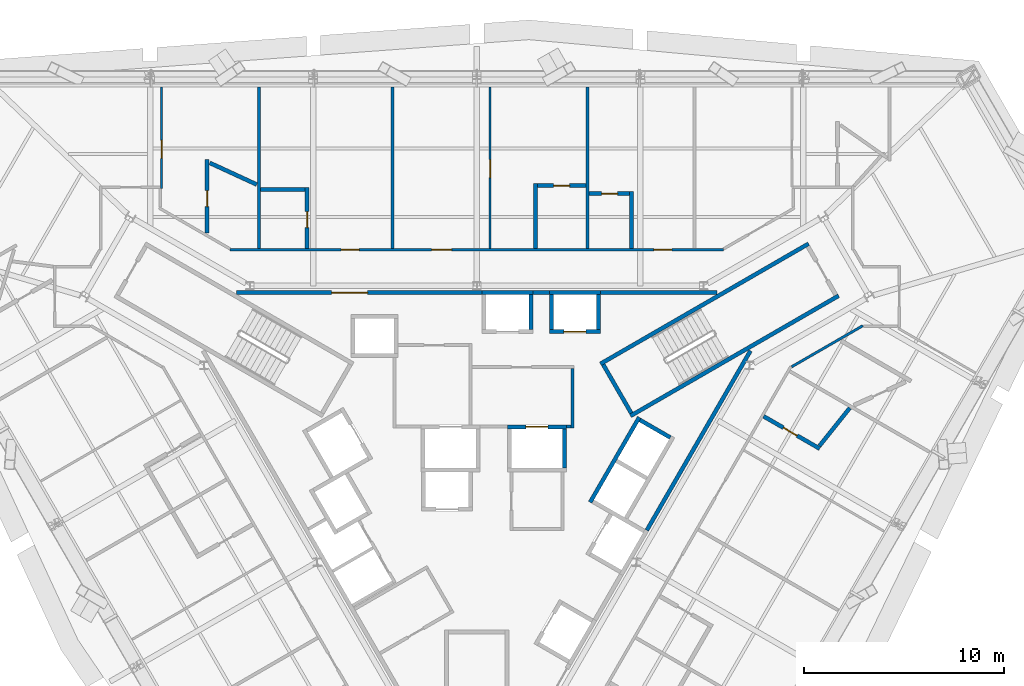
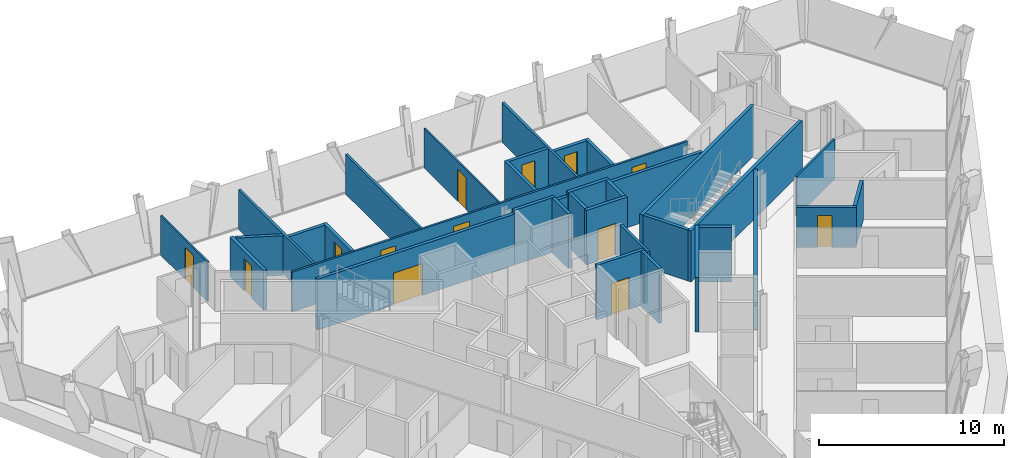
# One storey, part 11 of 14: 36 walls, 13 doors, 13 openings.
"""IFC4 building model written with IfcOpenShell, lengths in metres."""

from ifc_helpers import new_model, si_unit, direction, frame, frame_2d, origin, place, context, subcontext, project, spatial, rectangle, extrude, material, layer, layer_set, type_object, element, fill, save


model = new_model("IFC4")

# Units and contexts
model_context = context("Model", 3, precision=1e-05, world=origin(), true_north=direction((0.0, 1.0)))
body_context = subcontext(model_context, "Body", "Model", "MODEL_VIEW")
ifc_project = project(units=[si_unit("LENGTHUNIT", "METRE"), si_unit("AREAUNIT", "SQUARE_METRE"), si_unit("VOLUMEUNIT", "CUBIC_METRE"), si_unit("PLANEANGLEUNIT", "RADIAN"), si_unit("MASSUNIT", "GRAM", prefix="KILO")], contexts=[model_context])

# Site, building, storey
site_placement = place(None, origin())
site = spatial("IfcSite", under=ifc_project, at=site_placement, CompositionType="ELEMENT")
building_placement = place(site_placement, origin())
building = spatial("IfcBuilding", under=site, at=building_placement, Name="Verrane Prism Tower", CompositionType="ELEMENT")
storey_placement = place(building_placement, frame((0.0, 0.0, 128.800048828125)))
storey = spatial("IfcBuildingStorey", under=building, at=storey_placement, Name="L31", CompositionType="ELEMENT", Elevation=128.800048828125)

# Wall, opening, door
ifc_material_1 = material(Name="Gypsum board partition", Category="other")
ifc_layer_1 = layer(ifc_material_1, 0.199951171875)
ifc_layer_set_1 = layer_set([ifc_layer_1], Name="CW-200 core boundary wall 2 h")
wall_type_1 = type_object("IfcWallType", Name="CW-200 core boundary wall 2 h", PredefinedType="PARTITIONING", material=ifc_layer_set_1)
wall_1_placement = place(storey_placement, frame((0.262939453125, 8.860107421875, 0.0), z_axis=(0.0, 0.0, 1.0), x_axis=(-1.0, 0.0, 0.0)))
wall_1 = element("IfcWall", 1, at=wall_1_placement, inside=storey, type_object=wall_type_1, Name="Core boundary wall CW3-002", PredefinedType="PARTITIONING", context=body_context, shape_type="SweptSolid", body=[
    extrude(rectangle(XDim=12.25390625, YDim=0.199951171875, at=frame_2d((6.126953125, 0.0))), origin(), (0.0, 0.0, 1.0), 3.349853515625),
])
opening_1_placement = place(wall_1_placement, frame((5.708984375, 0.0, 0.0)))
opening_1 = element("IfcOpeningElement", 2, at=opening_1_placement, cuts=wall_1, Name="Opening D29511", PredefinedType="OPENING", context=body_context, shape_type="SweptSolid", body=[
    extrude(rectangle(XDim=1.800048828125, YDim=2.10009765625, at=frame_2d((0.89990234375, 1.050048828125))), frame((0.0, 0.10986328125, 0.0), z_axis=(0.0, -1.0, 0.0), x_axis=(1.0, 0.0, 0.0)), (0.0, 0.0, 1.0), 0.219970703125),
])
ifc_material_2 = material(Name="Timber veneered door leaf", Category="wood")
door_type_1 = type_object("IfcDoorType", Name="DR-1800x2100 FD60 double leaf lift lobby", OperationType="NOTDEFINED", PredefinedType="DOOR", material=ifc_material_2)
door_1_placement = place(opening_1_placement, origin())
door_1 = element("IfcDoor", 3, at=door_1_placement, inside=storey, type_object=door_type_1, Name="Lift lobby door D29511", OperationType="DOUBLE_DOOR_SINGLE_SWING", OverallHeight=2.10009765625, OverallWidth=1.800048828125, PredefinedType="DOOR", context=body_context, shape_type="SweptSolid", body=[
    extrude(rectangle(XDim=1.800048828125, YDim=2.10009765625, at=frame_2d((0.89990234375, 1.050048828125))), frame((0.0, 0.02490234375, 0.0), z_axis=(0.0, -1.0, 0.0), x_axis=(1.0, 0.0, 0.0)), (0.0, 0.0, 1.0), 0.050048828125),
])
fill(opening_1, door_1)

# Walls
wall_2_placement = place(storey_placement, frame((2.81689453125, 8.860107421875, 0.0), z_axis=(0.0, 0.0, 1.0), x_axis=(1.0, 0.0, 0.0)))
element("IfcWall", 4, at=wall_2_placement, inside=storey, type_object=wall_type_1, Name="Core boundary wall CW3-004", PredefinedType="PARTITIONING", context=body_context, shape_type="SweptSolid", body=[
    extrude(rectangle(XDim=0.80615234375, YDim=0.199951171875, at=frame_2d((0.403076171875, 0.0))), origin(), (0.0, 0.0, 1.0), 3.349853515625),
])
wall_3_placement = place(storey_placement, frame((6.177001953125, 8.860107421875, 0.0), z_axis=(0.0, 0.0, 1.0), x_axis=(1.0, 0.0, 0.0)))
element("IfcWall", 5, at=wall_3_placement, inside=storey, type_object=wall_type_1, Name="Core boundary wall CW3-006", PredefinedType="PARTITIONING", context=body_context, shape_type="SweptSolid", body=[
    extrude(rectangle(XDim=5.81396484375, YDim=0.199951171875, at=frame_2d((2.906982421875, 0.0))), origin(), (0.0, 0.0, 1.0), 3.349853515625),
])
wall_4_placement = place(storey_placement, frame((8.491943359375, -3.011962890625, 0.0), z_axis=(0.0, 0.0, 1.0), x_axis=(0.499972957231, 0.866041016371, 0.0)))
element("IfcWall", 6, at=wall_4_placement, inside=storey, type_object=wall_type_1, Name="Core boundary wall CW3-007", PredefinedType="PARTITIONING", context=body_context, shape_type="SweptSolid", body=[
    extrude(rectangle(XDim=10.3486328125, YDim=0.199951171875, at=frame_2d((5.17431640625, 0.0))), origin(), (0.0, 0.0, 1.0), 3.349853515625),
])
ifc_material_3 = material(Name="Concrete C40/50", Category="concrete")
ifc_layer_2 = layer(ifc_material_3, 0.199951171875)
ifc_layer_set_2 = layer_set([ifc_layer_2], Name="CW-200 stair core wall concrete C40/50 3 h")
wall_type_2 = type_object("IfcWallType", Name="CW-200 stair core wall concrete C40/50 3 h", PredefinedType="PARTITIONING", material=ifc_layer_set_2)
for number, where, z_axis, x_axis, name in (
    (7, (6.17822265625, 5.299072265625, 0.0), (0.0, 0.0, 1.0), (0.866026010844, 0.49999894854, 0.0), "Stair 1 enclosure wall"),
    (8, (7.67822265625, 2.700927734375, 0.0), (0.0, 0.0, 1.0), (0.866026010844, 0.49999894854, 0.0), "Stair 1 enclosure wall"),
):
    element("IfcWall", number, at=place(storey_placement, frame(where, z_axis=z_axis, x_axis=x_axis)), inside=storey, type_object=wall_type_2, Name=name, PredefinedType="PARTITIONING", context=body_context, shape_type="SweptSolid", body=[
        extrude(rectangle(XDim=12.0, YDim=0.199951171875, at=frame_2d((6.0, 0.0))), origin(), (0.0, 0.0, 1.0), 3.349853515625),
    ])
wall_5_placement = place(storey_placement, frame((7.71484375, 2.837646484375, 0.0), z_axis=(0.0, 0.0, 1.0), x_axis=(-0.500049511043, 0.865996816683, 0.0)))
element("IfcWall", 9, at=wall_5_placement, inside=storey, type_object=wall_type_2, Name="Stair 1 enclosure wall", PredefinedType="PARTITIONING", context=body_context, shape_type="SweptSolid", body=[
    extrude(rectangle(XDim=2.800048828125, YDim=0.199951171875, at=frame_2d((1.39990234375, 0.0))), origin(), (0.0, 0.0, 1.0), 3.349853515625),
])

# Wall, opening, door
ifc_material_4 = material(Name="Gypsum board shaft wall assembly", Category="other")
ifc_layer_3 = layer(ifc_material_4, 0.199951171875)
ifc_layer_set_3 = layer_set([ifc_layer_3], Name="HW-200 lift shaft wall 2 h")
wall_type_3 = type_object("IfcWallType", Name="HW-200 lift shaft wall 2 h", PredefinedType="PARTITIONING", material=ifc_layer_set_3)
wall_6_placement = place(storey_placement, frame((1.52490234375, 2.14990234375, 0.0), z_axis=(0.0, 0.0, 1.0), x_axis=(1.0, 0.0, 0.0)))
wall_6 = element("IfcWall", 10, at=wall_6_placement, inside=storey, type_object=wall_type_3, Name="Lift shaft wall", PredefinedType="PARTITIONING", context=body_context, shape_type="SweptSolid", body=[
    extrude(rectangle(XDim=2.9501953125, YDim=0.199951171875, at=frame_2d((1.47509765625, 0.0))), origin(), (0.0, 0.0, 1.0), 3.599853515625),
])
opening_2_placement = place(wall_6_placement, frame((0.925048828125, 0.0, 0.0)))
opening_2 = element("IfcOpeningElement", 11, at=opening_2_placement, cuts=wall_6, Name="Opening D29509", PredefinedType="OPENING", context=body_context, shape_type="SweptSolid", body=[
    extrude(rectangle(XDim=1.10009765625, YDim=2.10009765625, at=frame_2d((0.550048828125, 1.050048828125))), frame((0.0, 0.10986328125, 0.0), z_axis=(0.0, -1.0, 0.0), x_axis=(1.0, 0.0, 0.0)), (0.0, 0.0, 1.0), 0.219970703125),
])
ifc_material_5 = material(Name="Stainless steel sliding landing door", Category="steel")
door_type_2 = type_object("IfcDoorType", Name="LD-1100x2100 lift landing door FD90 sliding", OperationType="NOTDEFINED", PredefinedType="DOOR", material=ifc_material_5)
door_2_placement = place(opening_2_placement, origin())
door_2 = element("IfcDoor", 12, at=door_2_placement, inside=storey, type_object=door_type_2, Name="Fire service lift 2 landing door", OperationType="SLIDING_TO_RIGHT", OverallHeight=2.10009765625, OverallWidth=1.10009765625, PredefinedType="DOOR", context=body_context, shape_type="SweptSolid", body=[
    extrude(rectangle(XDim=1.10009765625, YDim=2.10009765625, at=frame_2d((0.550048828125, 1.050048828125))), frame((0.0, 0.02490234375, 0.0), z_axis=(0.0, -1.0, 0.0), x_axis=(1.0, 0.0, 0.0)), (0.0, 0.0, 1.0), 0.050048828125),
])
fill(opening_2, door_2)

wall_7_placement = place(storey_placement, frame((3.625, 6.909912109375, 0.0), z_axis=(0.0, 0.0, 1.0), x_axis=(1.0, 0.0, 0.0)))
wall_7 = element("IfcWall", 13, at=wall_7_placement, inside=storey, type_object=wall_type_3, Name="Lift shaft wall", PredefinedType="PARTITIONING", context=body_context, shape_type="SweptSolid", body=[
    extrude(rectangle(XDim=2.550048828125, YDim=0.199951171875, at=frame_2d((1.27490234375, 0.0))), origin(), (0.0, 0.0, 1.0), 3.599853515625),
])
opening_3_placement = place(wall_7_placement, frame((0.72509765625, 0.0, 0.0)))
opening_3 = element("IfcOpeningElement", 14, at=opening_3_placement, cuts=wall_7, Name="Opening D29505", PredefinedType="OPENING", context=body_context, shape_type="SweptSolid", body=[
    extrude(rectangle(XDim=1.10009765625, YDim=2.10009765625, at=frame_2d((0.550048828125, 1.050048828125))), frame((0.0, 0.10986328125, 0.0), z_axis=(0.0, -1.0, 0.0), x_axis=(1.0, 0.0, 0.0)), (0.0, 0.0, 1.0), 0.219970703125),
])
door_3_placement = place(opening_3_placement, origin())
door_3 = element("IfcDoor", 15, at=door_3_placement, inside=storey, type_object=door_type_2, Name="Bank A lift 3 landing door", OperationType="SLIDING_TO_LEFT", OverallHeight=2.10009765625, OverallWidth=1.10009765625, PredefinedType="DOOR", context=body_context, shape_type="SweptSolid", body=[
    extrude(rectangle(XDim=1.10009765625, YDim=2.10009765625, at=frame_2d((0.550048828125, 1.050048828125))), frame((0.0, 0.02490234375, 0.0), z_axis=(0.0, -1.0, 0.0), x_axis=(1.0, 0.0, 0.0)), (0.0, 0.0, 1.0), 0.050048828125),
])
fill(opening_3, door_3)

# Walls
for number, where, z_axis, x_axis, name in (
    (16, (0.264892578125, 8.860107421875, 0.0), (0.0, 0.0, 1.0), (1.0, 0.0, 0.0), "Lift shaft wall"),
    (17, (3.625, 8.860107421875, 0.0), (0.0, 0.0, 1.0), (1.0, 0.0, 0.0), "Lift shaft wall"),
):
    element("IfcWall", number, at=place(storey_placement, frame(where, z_axis=z_axis, x_axis=x_axis)), inside=storey, type_object=wall_type_3, Name=name, PredefinedType="PARTITIONING", context=body_context, shape_type="SweptSolid", body=[
        extrude(rectangle(XDim=2.550048828125, YDim=0.199951171875, at=frame_2d((1.27490234375, 0.0))), origin(), (0.0, 0.0, 1.0), 3.599853515625),
    ])
wall_8_placement = place(storey_placement, frame((5.66259765625, -1.6123046875, 0.0), z_axis=(0.0, 0.0, 1.0), x_axis=(0.49998122708, 0.866036242063, 0.0)))
element("IfcWall", 18, at=wall_8_placement, inside=storey, type_object=wall_type_3, Name="Lift shaft wall", PredefinedType="PARTITIONING", context=body_context, shape_type="SweptSolid", body=[
    extrude(rectangle(XDim=4.900146484375, YDim=0.199951171875, at=frame_2d((2.4501953125, 0.0))), origin(), (0.0, 0.0, 1.0), 3.599853515625),
])
wall_9_placement = place(storey_placement, frame((6.074951171875, 7.010009765625, 0.0), z_axis=(0.0, 0.0, 1.0), x_axis=(0.0, 1.0, 0.0)))
element("IfcWall", 19, at=wall_9_placement, inside=storey, type_object=wall_type_3, Name="Lift shaft wall", PredefinedType="PARTITIONING", context=body_context, shape_type="SweptSolid", body=[
    extrude(rectangle(XDim=1.75, YDim=0.199951171875, at=frame_2d((0.875, 0.0))), origin(), (0.0, 0.0, 1.0), 3.599853515625),
])
wall_10_placement = place(storey_placement, frame((4.375, 0.10009765625, 0.0), z_axis=(0.0, 0.0, 1.0), x_axis=(0.0, 1.0, 0.0)))
element("IfcWall", 20, at=wall_10_placement, inside=storey, type_object=wall_type_3, Name="Lift shaft wall", PredefinedType="PARTITIONING", context=body_context, shape_type="SweptSolid", body=[
    extrude(rectangle(XDim=1.949951171875, YDim=0.199951171875, at=frame_2d((0.97509765625, 0.0))), origin(), (0.0, 0.0, 1.0), 3.599853515625),
])
for number, where, z_axis, x_axis, name in (
    (21, (3.72509765625, 7.010009765625, 0.0), (0.0, 0.0, 1.0), (0.0, 1.0, 0.0), "Lift shaft wall"),
    (22, (2.715087890625, 7.010009765625, 0.0), (0.0, 0.0, 1.0), (0.0, 1.0, 0.0), "Lift shaft wall"),
):
    element("IfcWall", number, at=place(storey_placement, frame(where, z_axis=z_axis, x_axis=x_axis)), inside=storey, type_object=wall_type_3, Name=name, PredefinedType="PARTITIONING", context=body_context, shape_type="SweptSolid", body=[
        extrude(rectangle(XDim=1.75, YDim=0.199951171875, at=frame_2d((0.875, 0.0))), origin(), (0.0, 0.0, 1.0), 3.599853515625),
    ])
wall_11_placement = place(storey_placement, frame((9.66455078125, 1.61962890625, 0.0), z_axis=(0.0, 0.0, 1.0), x_axis=(-0.866002029911, 0.500040482552, 0.0)))
element("IfcWall", 23, at=wall_11_placement, inside=storey, type_object=wall_type_3, Name="Lift shaft wall", PredefinedType="PARTITIONING", context=body_context, shape_type="SweptSolid", body=[
    extrude(rectangle(XDim=1.749755859375, YDim=0.199951171875, at=frame_2d((0.875, 0.0))), origin(), (0.0, 0.0, 1.0), 3.599853515625),
])
ifc_material_6 = material(Name="Gypsum board partition", Category="other")
ifc_layer_4 = layer(ifc_material_6, 0.14990234375)
ifc_layer_set_4 = layer_set([ifc_layer_4], Name="LF-150 firefighting lobby wall 1 h")
wall_type_4 = type_object("IfcWallType", Name="LF-150 firefighting lobby wall 1 h", PredefinedType="PARTITIONING", material=ifc_layer_set_4)
wall_12_placement = place(storey_placement, frame((4.47705078125, 2.159912109375, 0.0), z_axis=(0.0, 0.0, 1.0), x_axis=(1.0, 0.0, 0.0)))
element("IfcWall", 24, at=wall_12_placement, inside=storey, type_object=wall_type_4, Name="Firefighting lobby wall LF1-007", PredefinedType="PARTITIONING", context=body_context, shape_type="SweptSolid", body=[
    extrude(rectangle(XDim=0.238037109375, YDim=0.14990234375, at=frame_2d((0.119140625, 0.0))), origin(), (0.0, 0.0, 1.0), 3.349853515625),
])
wall_13_placement = place(storey_placement, frame((4.7900390625, 2.0849609375, 0.0), z_axis=(0.0, 0.0, 1.0), x_axis=(0.0, 1.0, 0.0)))
element("IfcWall", 25, at=wall_13_placement, inside=storey, type_object=wall_type_4, Name="Firefighting lobby wall LF1-008", PredefinedType="PARTITIONING", context=body_context, shape_type="SweptSolid", body=[
    extrude(rectangle(XDim=2.97998046875, YDim=0.14990234375, at=frame_2d((1.489990234375, 0.0))), origin(), (0.0, 0.0, 1.0), 3.349853515625),
])

# Wall, opening, door
ifc_material_7 = material(Name="Gypsum board partition", Category="other")
ifc_layer_5 = layer(ifc_material_7, 0.10009765625)
ifc_layer_set_5 = layer_set([ifc_layer_5], Name="PW-100 room partition")
wall_type_5 = type_object("IfcWallType", Name="PW-100 room partition", PredefinedType="PARTITIONING", material=ifc_layer_set_5)
wall_14_placement = place(storey_placement, frame((-15.740966796875, 19.114990234375, 0.0), z_axis=(0.0, 0.0, 1.0), x_axis=(0.0, -1.0, 0.0)))
wall_14 = element("IfcWall", 26, at=wall_14_placement, inside=storey, type_object=wall_type_5, Name="Room partition 020", PredefinedType="PARTITIONING", context=body_context, shape_type="SweptSolid", body=[
    extrude(rectangle(XDim=5.050048828125, YDim=0.10009765625, at=frame_2d((2.52490234375, 0.0))), origin(), (0.0, 0.0, 1.0), 2.613037109375),
])
opening_4_placement = place(wall_14_placement, frame((2.65087890625, 0.0, 0.0)))
opening_4 = element("IfcOpeningElement", 27, at=opening_4_placement, cuts=wall_14, Name="Opening D29012", PredefinedType="OPENING", context=body_context, shape_type="SweptSolid", body=[
    extrude(rectangle(XDim=0.89990234375, YDim=2.10009765625, at=frame_2d((0.449951171875, 1.050048828125))), frame((0.0, 0.06005859375, 0.0), z_axis=(0.0, -1.0, 0.0), x_axis=(1.0, 0.0, 0.0)), (0.0, 0.0, 1.0), 0.1201171875),
])
ifc_material_8 = material(Name="Timber veneered door leaf", Category="wood")
door_type_3 = type_object("IfcDoorType", Name="DR-900x2100 single leaf inner", OperationType="NOTDEFINED", PredefinedType="DOOR", material=ifc_material_8)
door_4_placement = place(opening_4_placement, origin())
door_4 = element("IfcDoor", 28, at=door_4_placement, inside=storey, type_object=door_type_3, Name="Suite Living Room door", OperationType="SINGLE_SWING_LEFT", OverallHeight=2.10009765625, OverallWidth=0.89990234375, PredefinedType="DOOR", context=body_context, shape_type="SweptSolid", body=[
    extrude(rectangle(XDim=0.89990234375, YDim=2.10009765625, at=frame_2d((0.449951171875, 1.050048828125))), frame((0.0, 0.02490234375, 0.0), z_axis=(0.0, -1.0, 0.0), x_axis=(1.0, 0.0, 0.0)), (0.0, 0.0, 1.0), 0.050048828125),
])
fill(opening_4, door_4)

wall_15_placement = place(storey_placement, frame((0.6669921875, 19.114990234375, 0.0), z_axis=(0.0, 0.0, 1.0), x_axis=(0.0, -1.0, 0.0)))
wall_15 = element("IfcWall", 29, at=wall_15_placement, inside=storey, type_object=wall_type_5, Name="Room partition 041", PredefinedType="PARTITIONING", context=body_context, shape_type="SweptSolid", body=[
    extrude(rectangle(XDim=8.052490234375, YDim=0.10009765625, at=frame_2d((4.0263671875, 0.0))), origin(), (0.0, 0.0, 1.0), 2.613037109375),
])
opening_5_placement = place(wall_15_placement, frame((3.614990234375, 0.0, 0.0)))
opening_5 = element("IfcOpeningElement", 30, at=opening_5_placement, cuts=wall_15, Name="Opening D29007", PredefinedType="OPENING", context=body_context, shape_type="SweptSolid", body=[
    extrude(rectangle(XDim=0.89990234375, YDim=2.10009765625, at=frame_2d((0.449951171875, 1.050048828125))), frame((0.0, 0.06005859375, 0.0), z_axis=(0.0, -1.0, 0.0), x_axis=(1.0, 0.0, 0.0)), (0.0, 0.0, 1.0), 0.1201171875),
])
door_5_placement = place(opening_5_placement, origin())
door_5 = element("IfcDoor", 31, at=door_5_placement, inside=storey, type_object=door_type_3, Name="Suite Living Room door", OperationType="SINGLE_SWING_RIGHT", OverallHeight=2.10009765625, OverallWidth=0.89990234375, PredefinedType="DOOR", context=body_context, shape_type="SweptSolid", body=[
    extrude(rectangle(XDim=0.89990234375, YDim=2.10009765625, at=frame_2d((0.449951171875, 1.050048828125))), frame((0.0, 0.02490234375, 0.0), z_axis=(0.0, -1.0, 0.0), x_axis=(1.0, 0.0, 0.0)), (0.0, 0.0, 1.0), 0.050048828125),
])
fill(opening_5, door_5)

# Wall, openings, doors
ifc_material_9 = material(Name="Gypsum board partition", Category="other")
ifc_layer_6 = layer(ifc_material_9, 0.125)
ifc_layer_set_6 = layer_set([ifc_layer_6], Name="PW-125 corridor wall 1 h")
wall_type_6 = type_object("IfcWallType", Name="PW-125 corridor wall 1 h", PredefinedType="PARTITIONING", material=ifc_layer_set_6)
wall_16_placement = place(storey_placement, frame((-12.3154296875, 11.0, 0.0), z_axis=(0.0, 0.0, 1.0), x_axis=(1.0, 0.0, 0.0)))
wall_16 = element("IfcWall", 32, at=wall_16_placement, inside=storey, type_object=wall_type_6, Name="Corridor wall 028", PredefinedType="PARTITIONING", context=body_context, shape_type="SweptSolid", body=[
    extrude(rectangle(XDim=24.630859375, YDim=0.125, at=frame_2d((12.3154296875, 0.0))), origin(), (0.0, 0.0, 1.0), 2.613037109375),
])
opening_6_placement = place(wall_16_placement, frame((21.153564453125, 0.0, 0.0)))
opening_6 = element("IfcOpeningElement", 33, at=opening_6_placement, cuts=wall_16, Name="Opening D29004", PredefinedType="OPENING", context=body_context, shape_type="SweptSolid", body=[
    extrude(rectangle(XDim=0.89990234375, YDim=2.10009765625, at=frame_2d((0.449951171875, 1.050048828125))), frame((0.0, 0.072509765625, 0.0), z_axis=(0.0, -1.0, 0.0), x_axis=(1.0, 0.0, 0.0)), (0.0, 0.0, 1.0), 0.14501953125),
])
opening_7_placement = place(wall_16_placement, frame((10.0615234375, 0.0, 0.0)))
opening_7 = element("IfcOpeningElement", 34, at=opening_7_placement, cuts=wall_16, Name="Opening D29006", PredefinedType="OPENING", context=body_context, shape_type="SweptSolid", body=[
    extrude(rectangle(XDim=1.0, YDim=2.10009765625, at=frame_2d((0.5, 1.050048828125))), frame((0.0, 0.072509765625, 0.0), z_axis=(0.0, -1.0, 0.0), x_axis=(1.0, 0.0, 0.0)), (0.0, 0.0, 1.0), 0.14501953125),
])
opening_8_placement = place(wall_16_placement, frame((5.54541015625, 0.0, 0.0)))
opening_8 = element("IfcOpeningElement", 35, at=opening_8_placement, cuts=wall_16, Name="Opening D29009", PredefinedType="OPENING", context=body_context, shape_type="SweptSolid", body=[
    extrude(rectangle(XDim=0.89990234375, YDim=2.10009765625, at=frame_2d((0.449951171875, 1.050048828125))), frame((0.0, 0.072509765625, 0.0), z_axis=(0.0, -1.0, 0.0), x_axis=(1.0, 0.0, 0.0)), (0.0, 0.0, 1.0), 0.14501953125),
])
ifc_material_10 = material(Name="Timber veneered door leaf", Category="wood")
door_type_4 = type_object("IfcDoorType", Name="DR-1000x2100 FD20 single leaf unit", OperationType="NOTDEFINED", PredefinedType="DOOR", material=ifc_material_10)
door_6_placement = place(opening_7_placement, origin())
door_6 = element("IfcDoor", 36, at=door_6_placement, inside=storey, type_object=door_type_4, Name="Suite Living Room door", OperationType="SINGLE_SWING_RIGHT", OverallHeight=2.10009765625, OverallWidth=1.0, PredefinedType="DOOR", context=body_context, shape_type="SweptSolid", body=[
    extrude(rectangle(XDim=1.0, YDim=2.10009765625, at=frame_2d((0.5, 1.050048828125))), frame((0.0, 0.02490234375, 0.0), z_axis=(0.0, -1.0, 0.0), x_axis=(1.0, 0.0, 0.0)), (0.0, 0.0, 1.0), 0.050048828125),
])
fill(opening_7, door_6)
ifc_material_11 = material(Name="Timber veneered door leaf", Category="wood")
door_type_5 = type_object("IfcDoorType", Name="DR-900x2100 FD20 single leaf unit", OperationType="NOTDEFINED", PredefinedType="DOOR", material=ifc_material_11)
door_7_placement = place(opening_6_placement, origin())
door_7 = element("IfcDoor", 37, at=door_7_placement, inside=storey, type_object=door_type_5, Name="Guest Room door", OperationType="SINGLE_SWING_RIGHT", OverallHeight=2.10009765625, OverallWidth=0.89990234375, PredefinedType="DOOR", context=body_context, shape_type="SweptSolid", body=[
    extrude(rectangle(XDim=0.89990234375, YDim=2.10009765625, at=frame_2d((0.449951171875, 1.050048828125))), frame((0.0, 0.02490234375, 0.0), z_axis=(0.0, -1.0, 0.0), x_axis=(1.0, 0.0, 0.0)), (0.0, 0.0, 1.0), 0.050048828125),
])
fill(opening_6, door_7)
door_8_placement = place(opening_8_placement, origin())
door_8 = element("IfcDoor", 38, at=door_8_placement, inside=storey, type_object=door_type_5, Name="Junior Suite door", OperationType="SINGLE_SWING_LEFT", OverallHeight=2.10009765625, OverallWidth=0.89990234375, PredefinedType="DOOR", context=body_context, shape_type="SweptSolid", body=[
    extrude(rectangle(XDim=0.89990234375, YDim=2.10009765625, at=frame_2d((0.449951171875, 1.050048828125))), frame((0.0, 0.02490234375, 0.0), z_axis=(0.0, -1.0, 0.0), x_axis=(1.0, 0.0, 0.0)), (0.0, 0.0, 1.0), 0.050048828125),
])
fill(opening_8, door_8)

# Walls
wall_17_placement = place(storey_placement, frame((15.7265625, 5.153564453125, 0.0), z_axis=(0.0, 0.0, 1.0), x_axis=(0.865992261418, 0.50005739987, 0.0)))
element("IfcWall", 39, at=wall_17_placement, inside=storey, type_object=wall_type_6, Name="Corridor wall 065", PredefinedType="PARTITIONING", context=body_context, shape_type="SweptSolid", body=[
    extrude(rectangle(XDim=4.10107421875, YDim=0.125, at=frame_2d((2.050537109375, 0.0))), origin(), (0.0, 0.0, 1.0), 2.613037109375),
])
ifc_material_12 = material(Name="Gypsum board partition", Category="other")
ifc_layer_7 = layer(ifc_material_12, 0.14990234375)
ifc_layer_set_7 = layer_set([ifc_layer_7], Name="PW-150 demising wall 1 h")
wall_type_7 = type_object("IfcWallType", Name="PW-150 demising wall 1 h", PredefinedType="PARTITIONING", material=ifc_layer_set_7)
for number, where, z_axis, x_axis, name in (
    (40, (-10.8701171875, 11.0625, 0.0), (0.0, 0.0, 1.0), (0.0, 1.0, 0.0), "Demising wall 029"),
    (41, (-4.2041015625, 11.0625, 0.0), (0.0, 0.0, 1.0), (0.0, 1.0, 0.0), "Demising wall 038"),
    (42, (5.5380859375, 11.0625, 0.0), (0.0, 0.0, 1.0), (0.0, 1.0, 0.0), "Demising wall 049"),
):
    element("IfcWall", number, at=place(storey_placement, frame(where, z_axis=z_axis, x_axis=x_axis)), inside=storey, type_object=wall_type_7, Name=name, PredefinedType="PARTITIONING", context=body_context, shape_type="SweptSolid", body=[
        extrude(rectangle(XDim=8.052490234375, YDim=0.14990234375, at=frame_2d((4.0263671875, 0.0))), origin(), (0.0, 0.0, 1.0), 2.613037109375),
    ])

# Wall, opening, door
ifc_material_13 = material(Name="Gypsum board partition", Category="other")
ifc_layer_8 = layer(ifc_material_13, 0.199951171875)
ifc_layer_set_8 = layer_set([ifc_layer_8], Name="PW-200 plumbing wall")
wall_type_8 = type_object("IfcWallType", Name="PW-200 plumbing wall", PredefinedType="PARTITIONING", material=ifc_layer_set_8)
wall_18_placement = place(storey_placement, frame((-13.469970703125, 15.498046875, 0.0), z_axis=(0.0, 0.0, 1.0), x_axis=(0.0, -1.0, 0.0)))
wall_18 = element("IfcWall", 43, at=wall_18_placement, inside=storey, type_object=wall_type_8, Name="Plumbing wall 025", PredefinedType="PARTITIONING", context=body_context, shape_type="SweptSolid", body=[
    extrude(rectangle(XDim=3.6650390625, YDim=0.199951171875, at=frame_2d((1.83251953125, 0.0))), origin(), (0.0, 0.0, 1.0), 2.613037109375),
])
opening_9_placement = place(wall_18_placement, frame((1.544921875, 0.0, 0.0)))
opening_9 = element("IfcOpeningElement", 44, at=opening_9_placement, cuts=wall_18, Name="Opening D29013", PredefinedType="OPENING", context=body_context, shape_type="SweptSolid", body=[
    extrude(rectangle(XDim=0.800048828125, YDim=2.10009765625, at=frame_2d((0.39990234375, 1.050048828125))), frame((0.0, 0.10986328125, 0.0), z_axis=(0.0, -1.0, 0.0), x_axis=(1.0, 0.0, 0.0)), (0.0, 0.0, 1.0), 0.219970703125),
])
ifc_material_14 = material(Name="Timber veneered door leaf", Category="wood")
door_type_6 = type_object("IfcDoorType", Name="DR-800x2100 single leaf bath", OperationType="NOTDEFINED", PredefinedType="DOOR", material=ifc_material_14)
door_9_placement = place(opening_9_placement, origin())
door_9 = element("IfcDoor", 45, at=door_9_placement, inside=storey, type_object=door_type_6, Name="En-Suite door", OperationType="SINGLE_SWING_RIGHT", OverallHeight=2.10009765625, OverallWidth=0.800048828125, PredefinedType="DOOR", context=body_context, shape_type="SweptSolid", body=[
    extrude(rectangle(XDim=0.800048828125, YDim=2.10009765625, at=frame_2d((0.39990234375, 1.050048828125))), frame((0.0, 0.02490234375, 0.0), z_axis=(0.0, -1.0, 0.0), x_axis=(1.0, 0.0, 0.0)), (0.0, 0.0, 1.0), 0.050048828125),
])
fill(opening_9, door_9)

# Walls
wall_19_placement = place(storey_placement, frame((-13.329345703125, 15.333251953125, 0.0), z_axis=(0.0, 0.0, 1.0), x_axis=(0.908227929569, -0.418475839148, 0.0)))
element("IfcWall", 46, at=wall_19_placement, inside=storey, type_object=wall_type_8, Name="Plumbing wall 026", PredefinedType="PARTITIONING", context=body_context, shape_type="SweptSolid", body=[
    extrude(rectangle(XDim=2.579345703125, YDim=0.199951171875, at=frame_2d((1.28955078125, 0.0))), origin(), (0.0, 0.0, 1.0), 2.613037109375),
])
wall_20_placement = place(storey_placement, frame((-10.794921875, 14.0, 0.0), z_axis=(0.0, 0.0, 1.0), x_axis=(1.0, 0.0, 0.0)))
element("IfcWall", 47, at=wall_20_placement, inside=storey, type_object=wall_type_8, Name="Plumbing wall 030", PredefinedType="PARTITIONING", context=body_context, shape_type="SweptSolid", body=[
    extrude(rectangle(XDim=2.224853515625, YDim=0.199951171875, at=frame_2d((1.1123046875, 0.0))), origin(), (0.0, 0.0, 1.0), 2.613037109375),
])

# Wall, opening, door
wall_21_placement = place(storey_placement, frame((-8.469970703125, 11.0625, 0.0), z_axis=(0.0, 0.0, 1.0), x_axis=(0.0, 1.0, 0.0)))
wall_21 = element("IfcWall", 48, at=wall_21_placement, inside=storey, type_object=wall_type_8, Name="Plumbing wall 034", PredefinedType="PARTITIONING", context=body_context, shape_type="SweptSolid", body=[
    extrude(rectangle(XDim=3.03759765625, YDim=0.199951171875, at=frame_2d((1.518798828125, 0.0))), origin(), (0.0, 0.0, 1.0), 2.613037109375),
])
opening_10_placement = place(wall_21_placement, frame((1.03759765625, 0.0, 0.0)))
opening_10 = element("IfcOpeningElement", 49, at=opening_10_placement, cuts=wall_21, Name="Opening D29010", PredefinedType="OPENING", context=body_context, shape_type="SweptSolid", body=[
    extrude(rectangle(XDim=0.800048828125, YDim=2.10009765625, at=frame_2d((0.39990234375, 1.050048828125))), frame((0.0, 0.10986328125, 0.0), z_axis=(0.0, -1.0, 0.0), x_axis=(1.0, 0.0, 0.0)), (0.0, 0.0, 1.0), 0.219970703125),
])
door_10_placement = place(opening_10_placement, origin())
door_10 = element("IfcDoor", 50, at=door_10_placement, inside=storey, type_object=door_type_6, Name="En-Suite door", OperationType="SINGLE_SWING_RIGHT", OverallHeight=2.10009765625, OverallWidth=0.800048828125, PredefinedType="DOOR", context=body_context, shape_type="SweptSolid", body=[
    extrude(rectangle(XDim=0.800048828125, YDim=2.10009765625, at=frame_2d((0.39990234375, 1.050048828125))), frame((0.0, 0.02490234375, 0.0), z_axis=(0.0, -1.0, 0.0), x_axis=(1.0, 0.0, 0.0)), (0.0, 0.0, 1.0), 0.050048828125),
])
fill(opening_10, door_10)

# Wall
wall_22_placement = place(storey_placement, frame((2.93798828125, 11.0625, 0.0), z_axis=(0.0, 0.0, 1.0), x_axis=(0.0, 1.0, 0.0)))
element("IfcWall", 51, at=wall_22_placement, inside=storey, type_object=wall_type_8, Name="Plumbing wall 042", PredefinedType="PARTITIONING", context=body_context, shape_type="SweptSolid", body=[
    extrude(rectangle(XDim=3.237548828125, YDim=0.199951171875, at=frame_2d((1.61865234375, 0.0))), origin(), (0.0, 0.0, 1.0), 2.613037109375),
])

# Wall, opening, door
wall_23_placement = place(storey_placement, frame((5.462890625, 14.199951171875, 0.0), z_axis=(0.0, 0.0, 1.0), x_axis=(-1.0, 0.0, 0.0)))
wall_23 = element("IfcWall", 52, at=wall_23_placement, inside=storey, type_object=wall_type_8, Name="Plumbing wall 043", PredefinedType="PARTITIONING", context=body_context, shape_type="SweptSolid", body=[
    extrude(rectangle(XDim=2.4248046875, YDim=0.199951171875, at=frame_2d((1.21240234375, 0.0))), origin(), (0.0, 0.0, 1.0), 2.613037109375),
])
opening_11_placement = place(wall_23_placement, frame((0.824951171875, 0.0, 0.0)))
opening_11 = element("IfcOpeningElement", 53, at=opening_11_placement, cuts=wall_23, Name="Opening D29008", PredefinedType="OPENING", context=body_context, shape_type="SweptSolid", body=[
    extrude(rectangle(XDim=0.800048828125, YDim=2.10009765625, at=frame_2d((0.39990234375, 1.050048828125))), frame((0.0, 0.10986328125, 0.0), z_axis=(0.0, -1.0, 0.0), x_axis=(1.0, 0.0, 0.0)), (0.0, 0.0, 1.0), 0.219970703125),
])
door_11_placement = place(opening_11_placement, origin())
door_11 = element("IfcDoor", 54, at=door_11_placement, inside=storey, type_object=door_type_6, Name="En-Suite door", OperationType="SINGLE_SWING_LEFT", OverallHeight=2.10009765625, OverallWidth=0.800048828125, PredefinedType="DOOR", context=body_context, shape_type="SweptSolid", body=[
    extrude(rectangle(XDim=0.800048828125, YDim=2.10009765625, at=frame_2d((0.39990234375, 1.050048828125))), frame((0.0, 0.02490234375, 0.0), z_axis=(0.0, -1.0, 0.0), x_axis=(1.0, 0.0, 0.0)), (0.0, 0.0, 1.0), 0.050048828125),
])
fill(opening_11, door_11)

wall_24_placement = place(storey_placement, frame((7.637939453125, 13.800048828125, 0.0), z_axis=(0.0, 0.0, 1.0), x_axis=(-1.0, 0.0, 0.0)))
wall_24 = element("IfcWall", 55, at=wall_24_placement, inside=storey, type_object=wall_type_8, Name="Plumbing wall 050", PredefinedType="PARTITIONING", context=body_context, shape_type="SweptSolid", body=[
    extrude(rectangle(XDim=2.02490234375, YDim=0.199951171875, at=frame_2d((1.012451171875, 0.0))), origin(), (0.0, 0.0, 1.0), 2.613037109375),
])
opening_12_placement = place(wall_24_placement, frame((0.60009765625, 0.0, 0.0)))
opening_12 = element("IfcOpeningElement", 56, at=opening_12_placement, cuts=wall_24, Name="Opening D29005", PredefinedType="OPENING", context=body_context, shape_type="SweptSolid", body=[
    extrude(rectangle(XDim=0.800048828125, YDim=2.10009765625, at=frame_2d((0.39990234375, 1.050048828125))), frame((0.0, 0.10986328125, 0.0), z_axis=(0.0, -1.0, 0.0), x_axis=(1.0, 0.0, 0.0)), (0.0, 0.0, 1.0), 0.219970703125),
])
door_12_placement = place(opening_12_placement, origin())
door_12 = element("IfcDoor", 57, at=door_12_placement, inside=storey, type_object=door_type_6, Name="En-Suite door", OperationType="SINGLE_SWING_RIGHT", OverallHeight=2.10009765625, OverallWidth=0.800048828125, PredefinedType="DOOR", context=body_context, shape_type="SweptSolid", body=[
    extrude(rectangle(XDim=0.800048828125, YDim=2.10009765625, at=frame_2d((0.39990234375, 1.050048828125))), frame((0.0, 0.02490234375, 0.0), z_axis=(0.0, -1.0, 0.0), x_axis=(1.0, 0.0, 0.0)), (0.0, 0.0, 1.0), 0.050048828125),
])
fill(opening_12, door_12)

# Wall
wall_25_placement = place(storey_placement, frame((7.738037109375, 11.0625, 0.0), z_axis=(0.0, 0.0, 1.0), x_axis=(0.0, 1.0, 0.0)))
element("IfcWall", 58, at=wall_25_placement, inside=storey, type_object=wall_type_8, Name="Plumbing wall 054", PredefinedType="PARTITIONING", context=body_context, shape_type="SweptSolid", body=[
    extrude(rectangle(XDim=2.83740234375, YDim=0.199951171875, at=frame_2d((1.418701171875, 0.0))), origin(), (0.0, 0.0, 1.0), 2.613037109375),
])

# Wall, opening, door
wall_26_placement = place(storey_placement, frame((14.326416015625, 2.68017578125, 0.0), z_axis=(0.0, 0.0, 1.0), x_axis=(0.86609757561, -0.499874973892, 0.0)))
wall_26 = element("IfcWall", 59, at=wall_26_placement, inside=storey, type_object=wall_type_8, Name="Plumbing wall 063", PredefinedType="PARTITIONING", context=body_context, shape_type="SweptSolid", body=[
    extrude(rectangle(XDim=3.233154296875, YDim=0.199951171875, at=frame_2d((1.61669921875, 0.0))), origin(), (0.0, 0.0, 1.0), 2.613037109375),
])
opening_13_placement = place(wall_26_placement, frame((1.132568359375, 0.0, 0.0)))
opening_13 = element("IfcOpeningElement", 60, at=opening_13_placement, cuts=wall_26, Name="Opening D29037", PredefinedType="OPENING", context=body_context, shape_type="SweptSolid", body=[
    extrude(rectangle(XDim=0.800048828125, YDim=2.10009765625, at=frame_2d((0.39990234375, 1.050048828125))), frame((0.0, 0.10986328125, 0.0), z_axis=(0.0, -1.0, 0.0), x_axis=(1.0, 0.0, 0.0)), (0.0, 0.0, 1.0), 0.219970703125),
])
door_13_placement = place(opening_13_placement, origin())
door_13 = element("IfcDoor", 61, at=door_13_placement, inside=storey, type_object=door_type_6, Name="En-Suite door", OperationType="SINGLE_SWING_LEFT", OverallHeight=2.10009765625, OverallWidth=0.800048828125, PredefinedType="DOOR", context=body_context, shape_type="SweptSolid", body=[
    extrude(rectangle(XDim=0.800048828125, YDim=2.10009765625, at=frame_2d((0.39990234375, 1.050048828125))), frame((0.0, 0.02490234375, 0.0), z_axis=(0.0, -1.0, 0.0), x_axis=(1.0, 0.0, 0.0)), (0.0, 0.0, 1.0), 0.050048828125),
])
fill(opening_13, door_13)

# Wall
wall_27_placement = place(storey_placement, frame((17.11181640625, 1.203857421875, 0.0), z_axis=(0.0, 0.0, 1.0), x_axis=(0.625309237246, 0.780377061307, 0.0)))
element("IfcWall", 62, at=wall_27_placement, inside=storey, type_object=wall_type_8, Name="Plumbing wall 069", PredefinedType="PARTITIONING", context=body_context, shape_type="SweptSolid", body=[
    extrude(rectangle(XDim=2.423095703125, YDim=0.199951171875, at=frame_2d((1.21142578125, 0.0))), origin(), (0.0, 0.0, 1.0), 2.613037109375),
])

save(model, "model.ifc")
